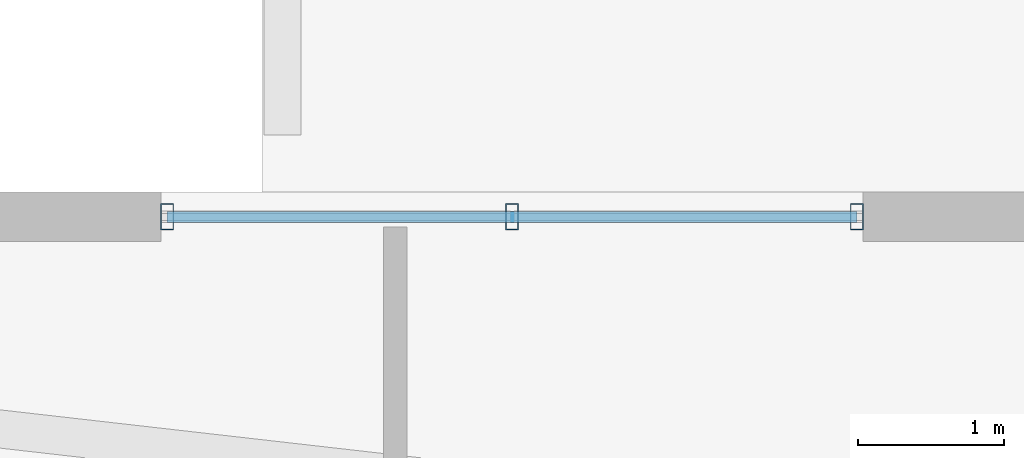
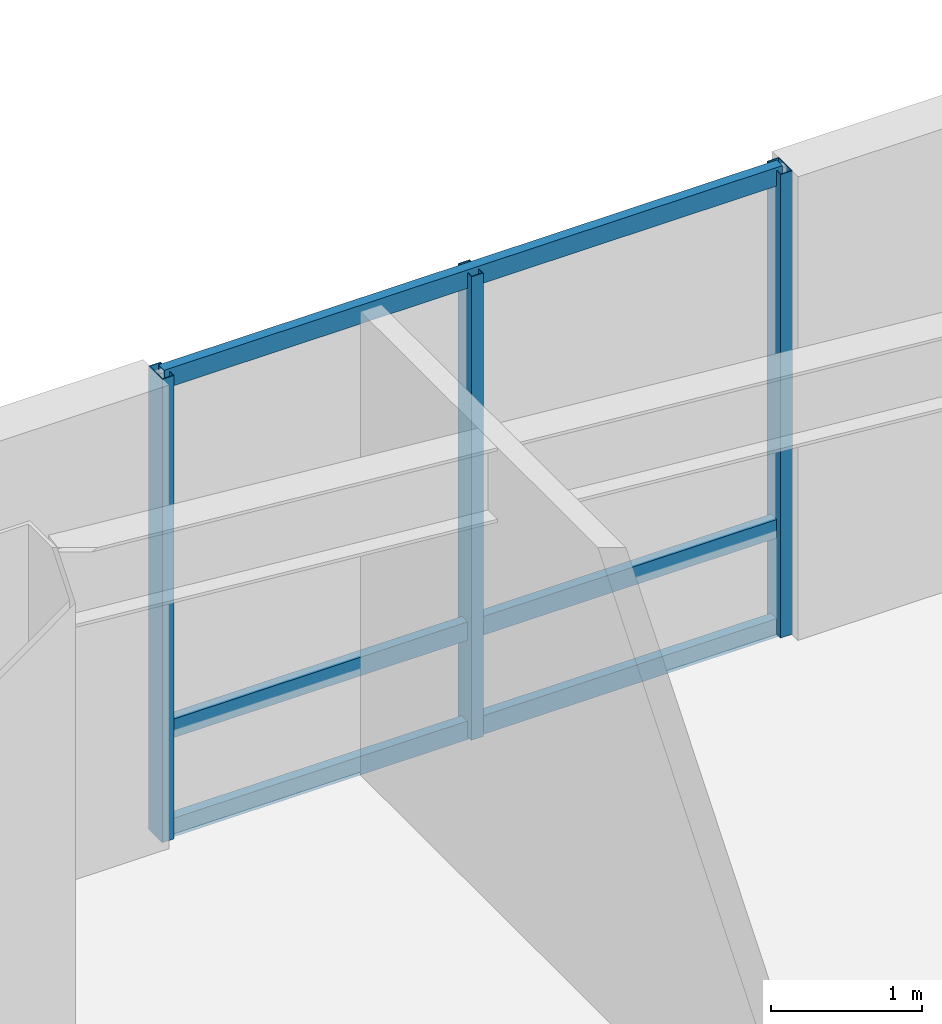
# One storey, part 8 of 19: 6 members, 1 element without a shape of its own.
"""IFC4 building model written with IfcOpenShell, lengths in metres."""

from ifc_helpers import new_model, si_unit, direction, frame, origin, origin_2d, place, context, subcontext, project, spatial, hollow_rectangle, extrude, material, layer, layer_set, material_profile, profile_set, type_object, element, aggregate, save


model = new_model("IFC4")

# Units and contexts
model_context = context("Model", 3, precision=1e-05, world=origin(), true_north=direction((0.0, 1.0)))
body_context = subcontext(model_context, "Body", "Model", "MODEL_VIEW")
ifc_project = project(units=[si_unit("LENGTHUNIT", "METRE"), si_unit("AREAUNIT", "SQUARE_METRE"), si_unit("VOLUMEUNIT", "CUBIC_METRE"), si_unit("PLANEANGLEUNIT", "RADIAN"), si_unit("MASSUNIT", "GRAM", prefix="KILO")], contexts=[model_context])

# Site, building, storey
site_placement = place(None, origin())
site = spatial("IfcSite", under=ifc_project, at=site_placement, CompositionType="ELEMENT")
building_placement = place(site_placement, origin())
building = spatial("IfcBuilding", under=site, at=building_placement, Name="Tavrogorsk Clinical Tower", CompositionType="ELEMENT")
storey_placement = place(building_placement, frame((0.0, 0.0, 188.199951171875)))
storey = spatial("IfcBuildingStorey", under=building, at=storey_placement, Name="L43", CompositionType="ELEMENT", Elevation=188.199951171875)

# Curtain wall, members
ifc_material_1 = material(Name="Anodised aluminium and triple IGU glazing", Category="aluminium")
ifc_layer = layer(ifc_material_1, 0.179931640625)
ifc_layer_set = layer_set([ifc_layer], Name="Anodised aluminium and triple IGU glazing")
curtain_wall_type = type_object("IfcCurtainWallType", Name="CW2_NorthSlot", PredefinedType="NOTDEFINED", material=ifc_layer_set)
curtain_wall_placement = place(storey_placement, origin())
curtain_wall = element("IfcCurtainWall", 1, at=curtain_wall_placement, inside=storey, type_object=curtain_wall_type, Name="L43 Curtain Wall CW-L43-N-SLOT-2", PredefinedType="NOTDEFINED")
ifc_material_2 = material(Name="Anodised aluminium alloy AW-6060", Category="aluminium")
ifc_material_profile_1 = material_profile(ifc_material_2, hollow_rectangle(XDim=0.090087890625, YDim=0.179931640625, WallThickness=0.00634765625, at=origin_2d()), Name="RHS-180x90x6.3")
ifc_profile_set_1 = profile_set([ifc_material_profile_1], Name="Anodised aluminium alloy AW-6060")
member_type_1 = type_object("IfcMemberType", Name="CwMullion_180x90", PredefinedType="MULLION", material=ifc_profile_set_1)
member_1_placement = place(storey_placement, frame((13.26904296875, 26.929931640625, 0.0), z_axis=(0.0, 0.0, 1.0), x_axis=(-1.0, 0.0, 0.0)))
member_1 = element("IfcMember", 2, at=member_1_placement, type_object=member_type_1, Name="CW-L43-N-SLOT-2 Mullion 1", PredefinedType="MULLION", context=body_context, shape_type="SweptSolid", body=[
    extrude(hollow_rectangle(XDim=0.090087890625, YDim=0.179931640625, WallThickness=0.00634765625, at=origin_2d()), origin(), (0.0, 0.0, 1.0), 3.739990234375),
])
member_2_placement = place(storey_placement, frame((10.91015625, 26.929931640625, 0.0), z_axis=(0.0, 0.0, 1.0), x_axis=(-1.0, 0.0, 0.0)))
member_2 = element("IfcMember", 3, at=member_2_placement, type_object=member_type_1, Name="CW-L43-N-SLOT-2 Mullion 2", PredefinedType="MULLION", context=body_context, shape_type="SweptSolid", body=[
    extrude(hollow_rectangle(XDim=0.090087890625, YDim=0.179931640625, WallThickness=0.00634765625, at=origin_2d()), origin(), (0.0, 0.0, 1.0), 3.739990234375),
])
member_3_placement = place(storey_placement, frame((8.551025390625, 26.929931640625, 0.0), z_axis=(0.0, 0.0, 1.0), x_axis=(-1.0, 0.0, 0.0)))
member_3 = element("IfcMember", 4, at=member_3_placement, type_object=member_type_1, Name="CW-L43-N-SLOT-2 Mullion 3", PredefinedType="MULLION", context=body_context, shape_type="SweptSolid", body=[
    extrude(hollow_rectangle(XDim=0.090087890625, YDim=0.179931640625, WallThickness=0.00634765625, at=origin_2d()), origin(), (0.0, 0.0, 1.0), 3.739990234375),
])
ifc_material_3 = material(Name="Anodised aluminium alloy AW-6060", Category="aluminium")
ifc_material_profile_2 = material_profile(ifc_material_3, hollow_rectangle(XDim=0.074951171875, YDim=0.14990234375, WallThickness=0.0048828125, at=origin_2d()), Name="RHS-150x75x5")
ifc_profile_set_2 = profile_set([ifc_material_profile_2], Name="Anodised aluminium alloy AW-6060")
member_type_2 = type_object("IfcMemberType", Name="CwTransom_150x75", PredefinedType="USERDEFINED", material=ifc_profile_set_2)
member_4_placement = place(storey_placement, frame((13.26904296875, 26.929931640625, 0.050048828125), z_axis=(-1.0, 0.0, 0.0), x_axis=(0.0, -1.0, 0.0)))
member_4 = element("IfcMember", 5, at=member_4_placement, type_object=member_type_2, Name="CW-L43-N-SLOT-2 Transom 1", ObjectType="TRANSOM", PredefinedType="USERDEFINED", context=body_context, shape_type="SweptSolid", body=[
    extrude(hollow_rectangle(XDim=0.074951171875, YDim=0.14990234375, WallThickness=0.0048828125, at=origin_2d()), origin(), (0.0, 0.0, 1.0), 4.718017578125),
])
member_5_placement = place(storey_placement, frame((13.26904296875, 26.929931640625, 0.85009765625), z_axis=(-1.0, 0.0, 0.0), x_axis=(0.0, -1.0, 0.0)))
member_5 = element("IfcMember", 6, at=member_5_placement, type_object=member_type_2, Name="CW-L43-N-SLOT-2 Transom 2", ObjectType="TRANSOM", PredefinedType="USERDEFINED", context=body_context, shape_type="SweptSolid", body=[
    extrude(hollow_rectangle(XDim=0.074951171875, YDim=0.14990234375, WallThickness=0.0048828125, at=origin_2d()), origin(), (0.0, 0.0, 1.0), 4.718017578125),
])
member_6_placement = place(storey_placement, frame((13.26904296875, 26.929931640625, 3.68994140625), z_axis=(-1.0, 0.0, 0.0), x_axis=(0.0, -1.0, 0.0)))
member_6 = element("IfcMember", 7, at=member_6_placement, type_object=member_type_2, Name="CW-L43-N-SLOT-2 Transom 3", ObjectType="TRANSOM", PredefinedType="USERDEFINED", context=body_context, shape_type="SweptSolid", body=[
    extrude(hollow_rectangle(XDim=0.074951171875, YDim=0.14990234375, WallThickness=0.0048828125, at=origin_2d()), origin(), (0.0, 0.0, 1.0), 4.718017578125),
])
aggregate(curtain_wall, [member_1, member_2, member_3, member_4, member_5, member_6])

save(model, "model.ifc")
